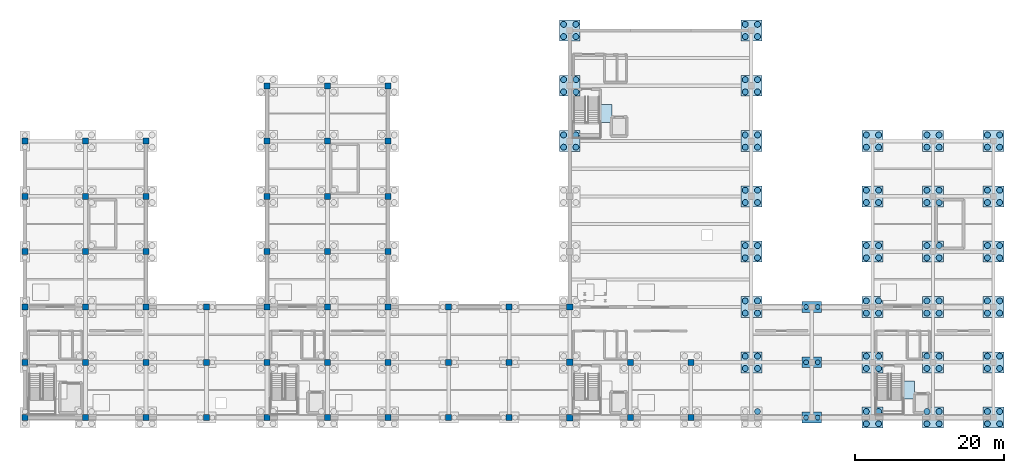
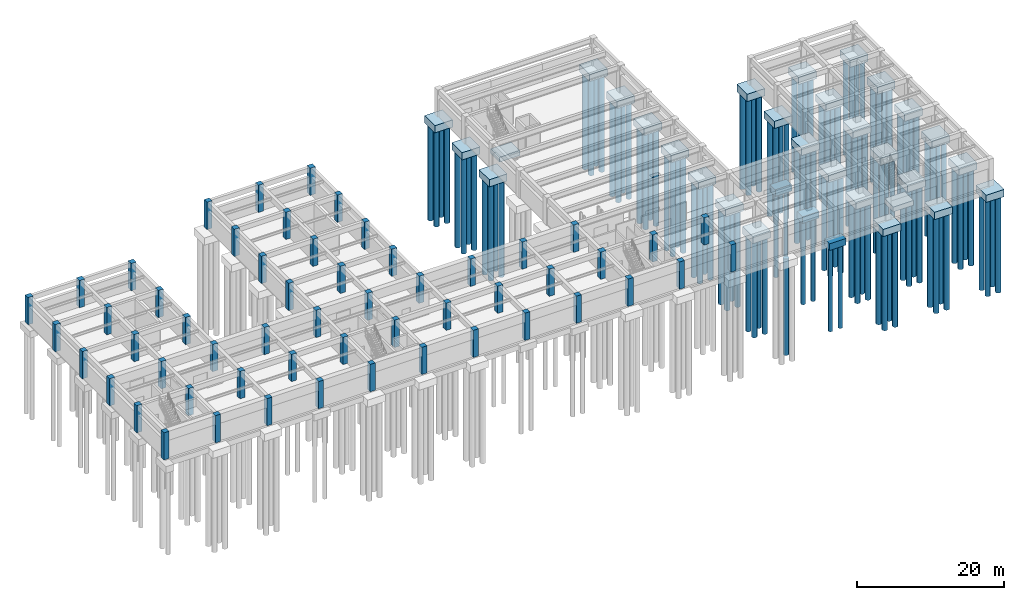
# One storey, part 2 of 14: 119 piles, 55 columns, 33 footings.
"""IFC4 building model written with IfcOpenShell, lengths in metres."""

from ifc_helpers import new_model, si_unit, direction, frame, origin, origin_2d, place, context, subcontext, project, spatial, rectangle, circle, extrude, material, material_profile, profile_set, type_object, element, save


model = new_model("IFC4")

# Units and contexts
model_context = context("Model", 3, precision=1e-05, world=origin(), true_north=direction((0.0, 1.0)))
body_context = subcontext(model_context, "Body", "Model", "MODEL_VIEW")
ifc_project = project(units=[si_unit("LENGTHUNIT", "METRE"), si_unit("AREAUNIT", "SQUARE_METRE"), si_unit("VOLUMEUNIT", "CUBIC_METRE"), si_unit("PLANEANGLEUNIT", "RADIAN"), si_unit("MASSUNIT", "GRAM", prefix="KILO")], contexts=[model_context])

# Site, building, storey
site_placement = place(None, origin())
site = spatial("IfcSite", under=ifc_project, at=site_placement, CompositionType="ELEMENT")
building_placement = place(site_placement, origin())
building = spatial("IfcBuilding", under=site, at=building_placement, Name="Cimatlan Art Gallery", CompositionType="ELEMENT")
storey_placement = place(building_placement, frame((0.0, 0.0, -4.800048828125)))
storey = spatial("IfcBuildingStorey", under=building, at=storey_placement, Name="B1", CompositionType="ELEMENT", Elevation=-4.800048828125)

# Footings
ifc_material_1 = material(Name="Concrete C40/50", Category="concrete")
footing_type_1 = type_object("IfcFootingType", Name="FTG-PAD-3200X2400", PredefinedType="PAD_FOOTING", material=ifc_material_1)
for number, where, z_axis, x_axis, name in (
    (1, (119.449951171875, 27.60009765625, -1.25), (0.0, 0.0, 1.0), (1.0, 0.0, 0.0), "FTG-CORE-C4"),
    (2, (78.949951171875, 64.60009765625, -1.25), (0.0, 0.0, 1.0), (1.0, 0.0, 0.0), "FTG-CORE-C6"),
):
    element("IfcFooting", number, at=place(storey_placement, frame(where, z_axis=z_axis, x_axis=x_axis)), inside=storey, type_object=footing_type_1, Name=name, PredefinedType="PAD_FOOTING", context=body_context, shape_type="SweptSolid", body=[
        extrude(rectangle(XDim=3.199951171875, YDim=2.39990234375, at=origin_2d()), origin(), (0.0, 0.0, 1.0), 0.800048828125),
    ])
footing_type_2 = type_object("IfcFootingType", Name="FTG-PC2-2600X1450", PredefinedType="PILE_CAP", material=ifc_material_1)
for number, where, z_axis, x_axis, name in (
    (3, (107.300048828125, 23.89990234375, -1.550048828125), (0.0, 0.0, 1.0), (1.0, 0.0, 0.0), "FTG-CAP-13-03"),
    (4, (107.300048828125, 31.300048828125, -1.550048828125), (0.0, 0.0, 1.0), (1.0, 0.0, 0.0), "FTG-CAP-13-04"),
    (5, (107.300048828125, 38.699951171875, -1.550048828125), (0.0, 0.0, 1.0), (1.0, 0.0, 0.0), "FTG-CAP-13-05"),
):
    element("IfcFooting", number, at=place(storey_placement, frame(where, z_axis=z_axis, x_axis=x_axis)), inside=storey, type_object=footing_type_2, Name=name, PredefinedType="PILE_CAP", context=body_context, shape_type="SweptSolid", body=[
        extrude(rectangle(XDim=2.60009765625, YDim=1.449951171875, at=origin_2d()), origin(), (0.0, 0.0, 1.0), 1.10009765625),
    ])
footing_type_3 = type_object("IfcFootingType", Name="FTG-PC4-2800", PredefinedType="PILE_CAP", material=ifc_material_1)
for number, where, z_axis, x_axis, name in (
    (6, (74.89990234375, 60.89990234375, -1.64990234375), (0.0, 0.0, 1.0), (1.0, 0.0, 0.0), "FTG-CAP-09-08"),
    (7, (74.89990234375, 68.300048828125, -1.64990234375), (0.0, 0.0, 1.0), (1.0, 0.0, 0.0), "FTG-CAP-09-09"),
    (8, (74.89990234375, 75.699951171875, -1.64990234375), (0.0, 0.0, 1.0), (1.0, 0.0, 0.0), "FTG-CAP-09-10"),
    (9, (99.199951171875, 31.300048828125, -1.64990234375), (0.0, 0.0, 1.0), (1.0, 0.0, 0.0), "FTG-CAP-12-04"),
    (10, (99.199951171875, 38.699951171875, -1.64990234375), (0.0, 0.0, 1.0), (1.0, 0.0, 0.0), "FTG-CAP-12-05"),
    (11, (99.199951171875, 46.10009765625, -1.64990234375), (0.0, 0.0, 1.0), (1.0, 0.0, 0.0), "FTG-CAP-12-06"),
    (12, (99.199951171875, 53.5, -1.64990234375), (0.0, 0.0, 1.0), (1.0, 0.0, 0.0), "FTG-CAP-12-07"),
    (13, (99.199951171875, 60.89990234375, -1.64990234375), (0.0, 0.0, 1.0), (1.0, 0.0, 0.0), "FTG-CAP-12-08"),
    (14, (99.199951171875, 68.300048828125, -1.64990234375), (0.0, 0.0, 1.0), (1.0, 0.0, 0.0), "FTG-CAP-12-09"),
    (15, (99.199951171875, 75.699951171875, -1.64990234375), (0.0, 0.0, 1.0), (1.0, 0.0, 0.0), "FTG-CAP-12-10"),
    (16, (115.39990234375, 23.89990234375, -1.64990234375), (0.0, 0.0, 1.0), (1.0, 0.0, 0.0), "FTG-CAP-14-03"),
    (17, (115.39990234375, 31.300048828125, -1.64990234375), (0.0, 0.0, 1.0), (1.0, 0.0, 0.0), "FTG-CAP-14-04"),
    (18, (115.39990234375, 38.699951171875, -1.64990234375), (0.0, 0.0, 1.0), (1.0, 0.0, 0.0), "FTG-CAP-14-05"),
    (19, (115.39990234375, 46.10009765625, -1.64990234375), (0.0, 0.0, 1.0), (1.0, 0.0, 0.0), "FTG-CAP-14-06"),
    (20, (115.39990234375, 53.5, -1.64990234375), (0.0, 0.0, 1.0), (1.0, 0.0, 0.0), "FTG-CAP-14-07"),
    (21, (115.39990234375, 60.89990234375, -1.64990234375), (0.0, 0.0, 1.0), (1.0, 0.0, 0.0), "FTG-CAP-14-08"),
    (22, (123.5, 23.89990234375, -1.64990234375), (0.0, 0.0, 1.0), (1.0, 0.0, 0.0), "FTG-CAP-15-03"),
    (23, (123.5, 31.300048828125, -1.64990234375), (0.0, 0.0, 1.0), (1.0, 0.0, 0.0), "FTG-CAP-15-04"),
    (24, (123.5, 38.699951171875, -1.64990234375), (0.0, 0.0, 1.0), (1.0, 0.0, 0.0), "FTG-CAP-15-05"),
    (25, (123.5, 46.10009765625, -1.64990234375), (0.0, 0.0, 1.0), (1.0, 0.0, 0.0), "FTG-CAP-15-06"),
    (26, (123.5, 53.5, -1.64990234375), (0.0, 0.0, 1.0), (1.0, 0.0, 0.0), "FTG-CAP-15-07"),
    (27, (123.5, 60.89990234375, -1.64990234375), (0.0, 0.0, 1.0), (1.0, 0.0, 0.0), "FTG-CAP-15-08"),
    (28, (131.60009765625, 23.89990234375, -1.64990234375), (0.0, 0.0, 1.0), (1.0, 0.0, 0.0), "FTG-CAP-16-03"),
    (29, (131.60009765625, 31.300048828125, -1.64990234375), (0.0, 0.0, 1.0), (1.0, 0.0, 0.0), "FTG-CAP-16-04"),
    (30, (131.60009765625, 38.699951171875, -1.64990234375), (0.0, 0.0, 1.0), (1.0, 0.0, 0.0), "FTG-CAP-16-05"),
    (31, (131.60009765625, 46.10009765625, -1.64990234375), (0.0, 0.0, 1.0), (1.0, 0.0, 0.0), "FTG-CAP-16-06"),
    (32, (131.60009765625, 53.5, -1.64990234375), (0.0, 0.0, 1.0), (1.0, 0.0, 0.0), "FTG-CAP-16-07"),
    (33, (131.60009765625, 60.89990234375, -1.64990234375), (0.0, 0.0, 1.0), (1.0, 0.0, 0.0), "FTG-CAP-16-08"),
):
    element("IfcFooting", number, at=place(storey_placement, frame(where, z_axis=z_axis, x_axis=x_axis)), inside=storey, type_object=footing_type_3, Name=name, PredefinedType="PILE_CAP", context=body_context, shape_type="SweptSolid", body=[
        extrude(rectangle(XDim=2.800048828125, YDim=2.800048828125, at=origin_2d()), origin(), (0.0, 0.0, 1.0), 1.199951171875),
    ])

# Piles
pile_type_1 = type_object("IfcPileType", Name="PIL-D650", PredefinedType="BORED", material=ifc_material_1)
for number, where, z_axis, x_axis, name in (
    (34, (106.52001953125, 23.89990234375, -1.449951171875), (0.0, 0.0, -1.0), (1.0, 0.0, 0.0), "PIL-13-03-1"),
    (35, (108.080078125, 23.89990234375, -1.449951171875), (0.0, 0.0, -1.0), (1.0, 0.0, 0.0), "PIL-13-03-2"),
    (36, (106.52001953125, 31.300048828125, -1.449951171875), (0.0, 0.0, -1.0), (1.0, 0.0, 0.0), "PIL-13-04-1"),
    (37, (108.080078125, 31.300048828125, -1.449951171875), (0.0, 0.0, -1.0), (1.0, 0.0, 0.0), "PIL-13-04-2"),
    (38, (106.52001953125, 38.699951171875, -1.449951171875), (0.0, 0.0, -1.0), (1.0, 0.0, 0.0), "PIL-13-05-1"),
    (39, (108.080078125, 38.699951171875, -1.449951171875), (0.0, 0.0, -1.0), (1.0, 0.0, 0.0), "PIL-13-05-2"),
):
    element("IfcPile", number, at=place(storey_placement, frame(where, z_axis=z_axis, x_axis=x_axis)), inside=storey, type_object=pile_type_1, Name=name, PredefinedType="BORED", context=body_context, shape_type="SweptSolid", body=[
        extrude(circle(Radius=0.324951171875, at=origin_2d()), origin(), (0.0, 0.0, 1.0), 14.0),
    ])
pile_type_2 = type_object("IfcPileType", Name="PIL-D800", PredefinedType="BORED", material=ifc_material_1)
for number, where, z_axis, x_axis, name in (
    (40, (74.080078125, 60.080078125, -1.550048828125), (0.0, 0.0, -1.0), (1.0, 0.0, 0.0), "PIL-09-08-1"),
    (41, (75.719970703125, 60.080078125, -1.550048828125), (0.0, 0.0, -1.0), (1.0, 0.0, 0.0), "PIL-09-08-2"),
    (42, (74.080078125, 61.719970703125, -1.550048828125), (0.0, 0.0, -1.0), (1.0, 0.0, 0.0), "PIL-09-08-3"),
    (43, (75.719970703125, 61.719970703125, -1.550048828125), (0.0, 0.0, -1.0), (1.0, 0.0, 0.0), "PIL-09-08-4"),
    (44, (74.080078125, 67.47998046875, -1.550048828125), (0.0, 0.0, -1.0), (1.0, 0.0, 0.0), "PIL-09-09-1"),
    (45, (75.719970703125, 67.47998046875, -1.550048828125), (0.0, 0.0, -1.0), (1.0, 0.0, 0.0), "PIL-09-09-2"),
    (46, (74.080078125, 69.1201171875, -1.550048828125), (0.0, 0.0, -1.0), (1.0, 0.0, 0.0), "PIL-09-09-3"),
    (47, (75.719970703125, 69.1201171875, -1.550048828125), (0.0, 0.0, -1.0), (1.0, 0.0, 0.0), "PIL-09-09-4"),
    (48, (74.080078125, 74.8798828125, -1.550048828125), (0.0, 0.0, -1.0), (1.0, 0.0, 0.0), "PIL-09-10-1"),
    (49, (75.719970703125, 74.8798828125, -1.550048828125), (0.0, 0.0, -1.0), (1.0, 0.0, 0.0), "PIL-09-10-2"),
    (50, (74.080078125, 76.52001953125, -1.550048828125), (0.0, 0.0, -1.0), (1.0, 0.0, 0.0), "PIL-09-10-3"),
    (51, (75.719970703125, 76.52001953125, -1.550048828125), (0.0, 0.0, -1.0), (1.0, 0.0, 0.0), "PIL-09-10-4"),
    (52, (100.02001953125, 24.719970703125, -1.550048828125), (0.0, 0.0, -1.0), (1.0, 0.0, 0.0), "PIL-12-03-4"),
    (53, (98.3798828125, 30.47998046875, -1.550048828125), (0.0, 0.0, -1.0), (1.0, 0.0, 0.0), "PIL-12-04-1"),
    (54, (100.02001953125, 30.47998046875, -1.550048828125), (0.0, 0.0, -1.0), (1.0, 0.0, 0.0), "PIL-12-04-2"),
    (55, (98.3798828125, 32.1201171875, -1.550048828125), (0.0, 0.0, -1.0), (1.0, 0.0, 0.0), "PIL-12-04-3"),
    (56, (100.02001953125, 32.1201171875, -1.550048828125), (0.0, 0.0, -1.0), (1.0, 0.0, 0.0), "PIL-12-04-4"),
    (57, (98.3798828125, 37.8798828125, -1.550048828125), (0.0, 0.0, -1.0), (1.0, 0.0, 0.0), "PIL-12-05-1"),
    (58, (100.02001953125, 37.8798828125, -1.550048828125), (0.0, 0.0, -1.0), (1.0, 0.0, 0.0), "PIL-12-05-2"),
    (59, (98.3798828125, 39.52001953125, -1.550048828125), (0.0, 0.0, -1.0), (1.0, 0.0, 0.0), "PIL-12-05-3"),
    (60, (100.02001953125, 39.52001953125, -1.550048828125), (0.0, 0.0, -1.0), (1.0, 0.0, 0.0), "PIL-12-05-4"),
    (61, (98.3798828125, 45.280029296875, -1.550048828125), (0.0, 0.0, -1.0), (1.0, 0.0, 0.0), "PIL-12-06-1"),
    (62, (100.02001953125, 45.280029296875, -1.550048828125), (0.0, 0.0, -1.0), (1.0, 0.0, 0.0), "PIL-12-06-2"),
    (63, (98.3798828125, 46.919921875, -1.550048828125), (0.0, 0.0, -1.0), (1.0, 0.0, 0.0), "PIL-12-06-3"),
    (64, (100.02001953125, 46.919921875, -1.550048828125), (0.0, 0.0, -1.0), (1.0, 0.0, 0.0), "PIL-12-06-4"),
    (65, (98.3798828125, 52.679931640625, -1.550048828125), (0.0, 0.0, -1.0), (1.0, 0.0, 0.0), "PIL-12-07-1"),
    (66, (100.02001953125, 52.679931640625, -1.550048828125), (0.0, 0.0, -1.0), (1.0, 0.0, 0.0), "PIL-12-07-2"),
    (67, (98.3798828125, 54.320068359375, -1.550048828125), (0.0, 0.0, -1.0), (1.0, 0.0, 0.0), "PIL-12-07-3"),
    (68, (100.02001953125, 54.320068359375, -1.550048828125), (0.0, 0.0, -1.0), (1.0, 0.0, 0.0), "PIL-12-07-4"),
    (69, (98.3798828125, 60.080078125, -1.550048828125), (0.0, 0.0, -1.0), (1.0, 0.0, 0.0), "PIL-12-08-1"),
    (70, (100.02001953125, 60.080078125, -1.550048828125), (0.0, 0.0, -1.0), (1.0, 0.0, 0.0), "PIL-12-08-2"),
    (71, (98.3798828125, 61.719970703125, -1.550048828125), (0.0, 0.0, -1.0), (1.0, 0.0, 0.0), "PIL-12-08-3"),
    (72, (100.02001953125, 61.719970703125, -1.550048828125), (0.0, 0.0, -1.0), (1.0, 0.0, 0.0), "PIL-12-08-4"),
    (73, (98.3798828125, 67.47998046875, -1.550048828125), (0.0, 0.0, -1.0), (1.0, 0.0, 0.0), "PIL-12-09-1"),
    (74, (100.02001953125, 67.47998046875, -1.550048828125), (0.0, 0.0, -1.0), (1.0, 0.0, 0.0), "PIL-12-09-2"),
    (75, (98.3798828125, 69.1201171875, -1.550048828125), (0.0, 0.0, -1.0), (1.0, 0.0, 0.0), "PIL-12-09-3"),
    (76, (100.02001953125, 69.1201171875, -1.550048828125), (0.0, 0.0, -1.0), (1.0, 0.0, 0.0), "PIL-12-09-4"),
    (77, (98.3798828125, 74.8798828125, -1.550048828125), (0.0, 0.0, -1.0), (1.0, 0.0, 0.0), "PIL-12-10-1"),
    (78, (100.02001953125, 74.8798828125, -1.550048828125), (0.0, 0.0, -1.0), (1.0, 0.0, 0.0), "PIL-12-10-2"),
    (79, (98.3798828125, 76.52001953125, -1.550048828125), (0.0, 0.0, -1.0), (1.0, 0.0, 0.0), "PIL-12-10-3"),
    (80, (100.02001953125, 76.52001953125, -1.550048828125), (0.0, 0.0, -1.0), (1.0, 0.0, 0.0), "PIL-12-10-4"),
    (81, (114.580078125, 23.080078125, -1.550048828125), (0.0, 0.0, -1.0), (1.0, 0.0, 0.0), "PIL-14-03-1"),
    (82, (116.219970703125, 23.080078125, -1.550048828125), (0.0, 0.0, -1.0), (1.0, 0.0, 0.0), "PIL-14-03-2"),
    (83, (114.580078125, 24.719970703125, -1.550048828125), (0.0, 0.0, -1.0), (1.0, 0.0, 0.0), "PIL-14-03-3"),
    (84, (116.219970703125, 24.719970703125, -1.550048828125), (0.0, 0.0, -1.0), (1.0, 0.0, 0.0), "PIL-14-03-4"),
    (85, (114.580078125, 30.47998046875, -1.550048828125), (0.0, 0.0, -1.0), (1.0, 0.0, 0.0), "PIL-14-04-1"),
    (86, (116.219970703125, 30.47998046875, -1.550048828125), (0.0, 0.0, -1.0), (1.0, 0.0, 0.0), "PIL-14-04-2"),
    (87, (114.580078125, 32.1201171875, -1.550048828125), (0.0, 0.0, -1.0), (1.0, 0.0, 0.0), "PIL-14-04-3"),
    (88, (116.219970703125, 32.1201171875, -1.550048828125), (0.0, 0.0, -1.0), (1.0, 0.0, 0.0), "PIL-14-04-4"),
    (89, (114.580078125, 37.8798828125, -1.550048828125), (0.0, 0.0, -1.0), (1.0, 0.0, 0.0), "PIL-14-05-1"),
    (90, (116.219970703125, 37.8798828125, -1.550048828125), (0.0, 0.0, -1.0), (1.0, 0.0, 0.0), "PIL-14-05-2"),
    (91, (114.580078125, 39.52001953125, -1.550048828125), (0.0, 0.0, -1.0), (1.0, 0.0, 0.0), "PIL-14-05-3"),
    (92, (116.219970703125, 39.52001953125, -1.550048828125), (0.0, 0.0, -1.0), (1.0, 0.0, 0.0), "PIL-14-05-4"),
    (93, (114.580078125, 45.280029296875, -1.550048828125), (0.0, 0.0, -1.0), (1.0, 0.0, 0.0), "PIL-14-06-1"),
    (94, (116.219970703125, 45.280029296875, -1.550048828125), (0.0, 0.0, -1.0), (1.0, 0.0, 0.0), "PIL-14-06-2"),
    (95, (114.580078125, 46.919921875, -1.550048828125), (0.0, 0.0, -1.0), (1.0, 0.0, 0.0), "PIL-14-06-3"),
    (96, (116.219970703125, 46.919921875, -1.550048828125), (0.0, 0.0, -1.0), (1.0, 0.0, 0.0), "PIL-14-06-4"),
    (97, (114.580078125, 52.679931640625, -1.550048828125), (0.0, 0.0, -1.0), (1.0, 0.0, 0.0), "PIL-14-07-1"),
    (98, (116.219970703125, 52.679931640625, -1.550048828125), (0.0, 0.0, -1.0), (1.0, 0.0, 0.0), "PIL-14-07-2"),
    (99, (114.580078125, 54.320068359375, -1.550048828125), (0.0, 0.0, -1.0), (1.0, 0.0, 0.0), "PIL-14-07-3"),
    (100, (116.219970703125, 54.320068359375, -1.550048828125), (0.0, 0.0, -1.0), (1.0, 0.0, 0.0), "PIL-14-07-4"),
    (101, (114.580078125, 60.080078125, -1.550048828125), (0.0, 0.0, -1.0), (1.0, 0.0, 0.0), "PIL-14-08-1"),
    (102, (116.219970703125, 60.080078125, -1.550048828125), (0.0, 0.0, -1.0), (1.0, 0.0, 0.0), "PIL-14-08-2"),
    (103, (114.580078125, 61.719970703125, -1.550048828125), (0.0, 0.0, -1.0), (1.0, 0.0, 0.0), "PIL-14-08-3"),
    (104, (116.219970703125, 61.719970703125, -1.550048828125), (0.0, 0.0, -1.0), (1.0, 0.0, 0.0), "PIL-14-08-4"),
    (105, (122.679931640625, 23.080078125, -1.550048828125), (0.0, 0.0, -1.0), (1.0, 0.0, 0.0), "PIL-15-03-1"),
    (106, (124.320068359375, 23.080078125, -1.550048828125), (0.0, 0.0, -1.0), (1.0, 0.0, 0.0), "PIL-15-03-2"),
    (107, (122.679931640625, 24.719970703125, -1.550048828125), (0.0, 0.0, -1.0), (1.0, 0.0, 0.0), "PIL-15-03-3"),
    (108, (124.320068359375, 24.719970703125, -1.550048828125), (0.0, 0.0, -1.0), (1.0, 0.0, 0.0), "PIL-15-03-4"),
    (109, (122.679931640625, 30.47998046875, -1.550048828125), (0.0, 0.0, -1.0), (1.0, 0.0, 0.0), "PIL-15-04-1"),
    (110, (124.320068359375, 30.47998046875, -1.550048828125), (0.0, 0.0, -1.0), (1.0, 0.0, 0.0), "PIL-15-04-2"),
    (111, (122.679931640625, 32.1201171875, -1.550048828125), (0.0, 0.0, -1.0), (1.0, 0.0, 0.0), "PIL-15-04-3"),
    (112, (124.320068359375, 32.1201171875, -1.550048828125), (0.0, 0.0, -1.0), (1.0, 0.0, 0.0), "PIL-15-04-4"),
    (113, (122.679931640625, 37.8798828125, -1.550048828125), (0.0, 0.0, -1.0), (1.0, 0.0, 0.0), "PIL-15-05-1"),
    (114, (124.320068359375, 37.8798828125, -1.550048828125), (0.0, 0.0, -1.0), (1.0, 0.0, 0.0), "PIL-15-05-2"),
    (115, (122.679931640625, 39.52001953125, -1.550048828125), (0.0, 0.0, -1.0), (1.0, 0.0, 0.0), "PIL-15-05-3"),
    (116, (124.320068359375, 39.52001953125, -1.550048828125), (0.0, 0.0, -1.0), (1.0, 0.0, 0.0), "PIL-15-05-4"),
    (117, (122.679931640625, 45.280029296875, -1.550048828125), (0.0, 0.0, -1.0), (1.0, 0.0, 0.0), "PIL-15-06-1"),
    (118, (124.320068359375, 45.280029296875, -1.550048828125), (0.0, 0.0, -1.0), (1.0, 0.0, 0.0), "PIL-15-06-2"),
    (119, (122.679931640625, 46.919921875, -1.550048828125), (0.0, 0.0, -1.0), (1.0, 0.0, 0.0), "PIL-15-06-3"),
    (120, (124.320068359375, 46.919921875, -1.550048828125), (0.0, 0.0, -1.0), (1.0, 0.0, 0.0), "PIL-15-06-4"),
    (121, (122.679931640625, 52.679931640625, -1.550048828125), (0.0, 0.0, -1.0), (1.0, 0.0, 0.0), "PIL-15-07-1"),
    (122, (124.320068359375, 52.679931640625, -1.550048828125), (0.0, 0.0, -1.0), (1.0, 0.0, 0.0), "PIL-15-07-2"),
    (123, (122.679931640625, 54.320068359375, -1.550048828125), (0.0, 0.0, -1.0), (1.0, 0.0, 0.0), "PIL-15-07-3"),
    (124, (124.320068359375, 54.320068359375, -1.550048828125), (0.0, 0.0, -1.0), (1.0, 0.0, 0.0), "PIL-15-07-4"),
    (125, (122.679931640625, 60.080078125, -1.550048828125), (0.0, 0.0, -1.0), (1.0, 0.0, 0.0), "PIL-15-08-1"),
    (126, (124.320068359375, 60.080078125, -1.550048828125), (0.0, 0.0, -1.0), (1.0, 0.0, 0.0), "PIL-15-08-2"),
    (127, (122.679931640625, 61.719970703125, -1.550048828125), (0.0, 0.0, -1.0), (1.0, 0.0, 0.0), "PIL-15-08-3"),
    (128, (124.320068359375, 61.719970703125, -1.550048828125), (0.0, 0.0, -1.0), (1.0, 0.0, 0.0), "PIL-15-08-4"),
    (129, (130.780029296875, 23.080078125, -1.550048828125), (0.0, 0.0, -1.0), (1.0, 0.0, 0.0), "PIL-16-03-1"),
    (130, (132.419921875, 23.080078125, -1.550048828125), (0.0, 0.0, -1.0), (1.0, 0.0, 0.0), "PIL-16-03-2"),
    (131, (130.780029296875, 24.719970703125, -1.550048828125), (0.0, 0.0, -1.0), (1.0, 0.0, 0.0), "PIL-16-03-3"),
    (132, (132.419921875, 24.719970703125, -1.550048828125), (0.0, 0.0, -1.0), (1.0, 0.0, 0.0), "PIL-16-03-4"),
    (133, (130.780029296875, 30.47998046875, -1.550048828125), (0.0, 0.0, -1.0), (1.0, 0.0, 0.0), "PIL-16-04-1"),
    (134, (132.419921875, 30.47998046875, -1.550048828125), (0.0, 0.0, -1.0), (1.0, 0.0, 0.0), "PIL-16-04-2"),
    (135, (130.780029296875, 32.1201171875, -1.550048828125), (0.0, 0.0, -1.0), (1.0, 0.0, 0.0), "PIL-16-04-3"),
    (136, (132.419921875, 32.1201171875, -1.550048828125), (0.0, 0.0, -1.0), (1.0, 0.0, 0.0), "PIL-16-04-4"),
    (137, (130.780029296875, 37.8798828125, -1.550048828125), (0.0, 0.0, -1.0), (1.0, 0.0, 0.0), "PIL-16-05-1"),
    (138, (132.419921875, 37.8798828125, -1.550048828125), (0.0, 0.0, -1.0), (1.0, 0.0, 0.0), "PIL-16-05-2"),
    (139, (130.780029296875, 39.52001953125, -1.550048828125), (0.0, 0.0, -1.0), (1.0, 0.0, 0.0), "PIL-16-05-3"),
    (140, (132.419921875, 39.52001953125, -1.550048828125), (0.0, 0.0, -1.0), (1.0, 0.0, 0.0), "PIL-16-05-4"),
    (141, (130.780029296875, 45.280029296875, -1.550048828125), (0.0, 0.0, -1.0), (1.0, 0.0, 0.0), "PIL-16-06-1"),
    (142, (132.419921875, 45.280029296875, -1.550048828125), (0.0, 0.0, -1.0), (1.0, 0.0, 0.0), "PIL-16-06-2"),
    (143, (130.780029296875, 46.919921875, -1.550048828125), (0.0, 0.0, -1.0), (1.0, 0.0, 0.0), "PIL-16-06-3"),
    (144, (132.419921875, 46.919921875, -1.550048828125), (0.0, 0.0, -1.0), (1.0, 0.0, 0.0), "PIL-16-06-4"),
    (145, (130.780029296875, 52.679931640625, -1.550048828125), (0.0, 0.0, -1.0), (1.0, 0.0, 0.0), "PIL-16-07-1"),
    (146, (132.419921875, 52.679931640625, -1.550048828125), (0.0, 0.0, -1.0), (1.0, 0.0, 0.0), "PIL-16-07-2"),
    (147, (130.780029296875, 54.320068359375, -1.550048828125), (0.0, 0.0, -1.0), (1.0, 0.0, 0.0), "PIL-16-07-3"),
    (148, (132.419921875, 54.320068359375, -1.550048828125), (0.0, 0.0, -1.0), (1.0, 0.0, 0.0), "PIL-16-07-4"),
    (149, (130.780029296875, 60.080078125, -1.550048828125), (0.0, 0.0, -1.0), (1.0, 0.0, 0.0), "PIL-16-08-1"),
    (150, (132.419921875, 60.080078125, -1.550048828125), (0.0, 0.0, -1.0), (1.0, 0.0, 0.0), "PIL-16-08-2"),
    (151, (130.780029296875, 61.719970703125, -1.550048828125), (0.0, 0.0, -1.0), (1.0, 0.0, 0.0), "PIL-16-08-3"),
    (152, (132.419921875, 61.719970703125, -1.550048828125), (0.0, 0.0, -1.0), (1.0, 0.0, 0.0), "PIL-16-08-4"),
):
    element("IfcPile", number, at=place(storey_placement, frame(where, z_axis=z_axis, x_axis=x_axis)), inside=storey, type_object=pile_type_2, Name=name, PredefinedType="BORED", context=body_context, shape_type="SweptSolid", body=[
        extrude(circle(Radius=0.39990234375, at=origin_2d()), origin(), (0.0, 0.0, 1.0), 16.0),
    ])

# Columns
ifc_material_2 = material(Name="Concrete C45/55", Category="concrete")
ifc_material_profile_1 = material_profile(ifc_material_2, rectangle(XDim=0.800048828125, YDim=0.800048828125, at=origin_2d()), Name="RC800X800")
ifc_profile_set_1 = profile_set([ifc_material_profile_1], Name="Concrete C45/55")
column_type_1 = type_object("IfcColumnType", Name="COL-RC-800", PredefinedType="COLUMN", material=ifc_profile_set_1)
for number, where, z_axis, x_axis, name in (
    (153, (2.0, 23.89990234375, 0.0), (0.0, 0.0, 1.0), (1.0, 0.0, 0.0), "COL-B1-00-03"),
    (154, (2.0, 31.300048828125, 0.0), (0.0, 0.0, 1.0), (1.0, 0.0, 0.0), "COL-B1-00-04"),
    (155, (2.0, 38.699951171875, 0.0), (0.0, 0.0, 1.0), (1.0, 0.0, 0.0), "COL-B1-00-05"),
    (156, (2.0, 46.10009765625, 0.0), (0.0, 0.0, 1.0), (1.0, 0.0, 0.0), "COL-B1-00-06"),
    (157, (2.0, 53.5, 0.0), (0.0, 0.0, 1.0), (1.0, 0.0, 0.0), "COL-B1-00-07"),
    (158, (2.0, 60.89990234375, 0.0), (0.0, 0.0, 1.0), (1.0, 0.0, 0.0), "COL-B1-00-08"),
    (159, (10.10009765625, 23.89990234375, 0.0), (0.0, 0.0, 1.0), (1.0, 0.0, 0.0), "COL-B1-01-03"),
    (160, (10.10009765625, 31.300048828125, 0.0), (0.0, 0.0, 1.0), (1.0, 0.0, 0.0), "COL-B1-01-04"),
    (161, (10.10009765625, 38.699951171875, 0.0), (0.0, 0.0, 1.0), (1.0, 0.0, 0.0), "COL-B1-01-05"),
    (162, (10.10009765625, 46.10009765625, 0.0), (0.0, 0.0, 1.0), (1.0, 0.0, 0.0), "COL-B1-01-06"),
    (163, (10.10009765625, 53.5, 0.0), (0.0, 0.0, 1.0), (1.0, 0.0, 0.0), "COL-B1-01-07"),
    (164, (10.10009765625, 60.89990234375, 0.0), (0.0, 0.0, 1.0), (1.0, 0.0, 0.0), "COL-B1-01-08"),
    (165, (18.199951171875, 23.89990234375, 0.0), (0.0, 0.0, 1.0), (1.0, 0.0, 0.0), "COL-B1-02-03"),
    (166, (18.199951171875, 31.300048828125, 0.0), (0.0, 0.0, 1.0), (1.0, 0.0, 0.0), "COL-B1-02-04"),
    (167, (18.199951171875, 38.699951171875, 0.0), (0.0, 0.0, 1.0), (1.0, 0.0, 0.0), "COL-B1-02-05"),
    (168, (18.199951171875, 46.10009765625, 0.0), (0.0, 0.0, 1.0), (1.0, 0.0, 0.0), "COL-B1-02-06"),
    (169, (18.199951171875, 53.5, 0.0), (0.0, 0.0, 1.0), (1.0, 0.0, 0.0), "COL-B1-02-07"),
    (170, (18.199951171875, 60.89990234375, 0.0), (0.0, 0.0, 1.0), (1.0, 0.0, 0.0), "COL-B1-02-08"),
    (171, (26.300048828125, 23.89990234375, 0.0), (0.0, 0.0, 1.0), (1.0, 0.0, 0.0), "COL-B1-03-03"),
    (172, (26.300048828125, 31.300048828125, 0.0), (0.0, 0.0, 1.0), (1.0, 0.0, 0.0), "COL-B1-03-04"),
    (173, (26.300048828125, 38.699951171875, 0.0), (0.0, 0.0, 1.0), (1.0, 0.0, 0.0), "COL-B1-03-05"),
    (174, (34.39990234375, 23.89990234375, 0.0), (0.0, 0.0, 1.0), (1.0, 0.0, 0.0), "COL-B1-04-03"),
    (175, (34.39990234375, 31.300048828125, 0.0), (0.0, 0.0, 1.0), (1.0, 0.0, 0.0), "COL-B1-04-04"),
    (176, (34.39990234375, 38.699951171875, 0.0), (0.0, 0.0, 1.0), (1.0, 0.0, 0.0), "COL-B1-04-05"),
    (177, (34.39990234375, 46.10009765625, 0.0), (0.0, 0.0, 1.0), (1.0, 0.0, 0.0), "COL-B1-04-06"),
    (178, (34.39990234375, 53.5, 0.0), (0.0, 0.0, 1.0), (1.0, 0.0, 0.0), "COL-B1-04-07"),
    (179, (34.39990234375, 60.89990234375, 0.0), (0.0, 0.0, 1.0), (1.0, 0.0, 0.0), "COL-B1-04-08"),
    (180, (34.39990234375, 68.300048828125, 0.0), (0.0, 0.0, 1.0), (1.0, 0.0, 0.0), "COL-B1-04-09"),
    (181, (42.5, 23.89990234375, 0.0), (0.0, 0.0, 1.0), (1.0, 0.0, 0.0), "COL-B1-05-03"),
    (182, (42.5, 31.300048828125, 0.0), (0.0, 0.0, 1.0), (1.0, 0.0, 0.0), "COL-B1-05-04"),
    (183, (42.5, 38.699951171875, 0.0), (0.0, 0.0, 1.0), (1.0, 0.0, 0.0), "COL-B1-05-05"),
    (184, (42.5, 46.10009765625, 0.0), (0.0, 0.0, 1.0), (1.0, 0.0, 0.0), "COL-B1-05-06"),
    (185, (42.5, 53.5, 0.0), (0.0, 0.0, 1.0), (1.0, 0.0, 0.0), "COL-B1-05-07"),
    (186, (42.5, 60.89990234375, 0.0), (0.0, 0.0, 1.0), (1.0, 0.0, 0.0), "COL-B1-05-08"),
    (187, (42.5, 68.300048828125, 0.0), (0.0, 0.0, 1.0), (1.0, 0.0, 0.0), "COL-B1-05-09"),
    (188, (50.60009765625, 23.89990234375, 0.0), (0.0, 0.0, 1.0), (1.0, 0.0, 0.0), "COL-B1-06-03"),
    (189, (50.60009765625, 31.300048828125, 0.0), (0.0, 0.0, 1.0), (1.0, 0.0, 0.0), "COL-B1-06-04"),
    (190, (50.60009765625, 38.699951171875, 0.0), (0.0, 0.0, 1.0), (1.0, 0.0, 0.0), "COL-B1-06-05"),
    (191, (50.60009765625, 46.10009765625, 0.0), (0.0, 0.0, 1.0), (1.0, 0.0, 0.0), "COL-B1-06-06"),
    (192, (50.60009765625, 53.5, 0.0), (0.0, 0.0, 1.0), (1.0, 0.0, 0.0), "COL-B1-06-07"),
    (193, (50.60009765625, 60.89990234375, 0.0), (0.0, 0.0, 1.0), (1.0, 0.0, 0.0), "COL-B1-06-08"),
    (194, (50.60009765625, 68.300048828125, 0.0), (0.0, 0.0, 1.0), (1.0, 0.0, 0.0), "COL-B1-06-09"),
    (195, (58.699951171875, 23.89990234375, 0.0), (0.0, 0.0, 1.0), (1.0, 0.0, 0.0), "COL-B1-07-03"),
    (196, (58.699951171875, 31.300048828125, 0.0), (0.0, 0.0, 1.0), (1.0, 0.0, 0.0), "COL-B1-07-04"),
    (197, (58.699951171875, 38.699951171875, 0.0), (0.0, 0.0, 1.0), (1.0, 0.0, 0.0), "COL-B1-07-05"),
    (198, (66.800048828125, 23.89990234375, 0.0), (0.0, 0.0, 1.0), (1.0, 0.0, 0.0), "COL-B1-08-03"),
    (199, (66.800048828125, 31.300048828125, 0.0), (0.0, 0.0, 1.0), (1.0, 0.0, 0.0), "COL-B1-08-04"),
    (200, (66.800048828125, 38.699951171875, 0.0), (0.0, 0.0, 1.0), (1.0, 0.0, 0.0), "COL-B1-08-05"),
    (201, (83.0, 23.89990234375, 0.0), (0.0, 0.0, 1.0), (1.0, 0.0, 0.0), "COL-B1-10-03"),
    (202, (83.0, 31.300048828125, 0.0), (0.0, 0.0, 1.0), (1.0, 0.0, 0.0), "COL-B1-10-04"),
    (203, (91.10009765625, 23.89990234375, 0.0), (0.0, 0.0, 1.0), (1.0, 0.0, 0.0), "COL-B1-11-03"),
    (204, (91.10009765625, 31.300048828125, 0.0), (0.0, 0.0, 1.0), (1.0, 0.0, 0.0), "COL-B1-11-04"),
):
    element("IfcColumn", number, at=place(storey_placement, frame(where, z_axis=z_axis, x_axis=x_axis)), inside=storey, type_object=column_type_1, Name=name, PredefinedType="COLUMN", context=body_context, shape_type="SweptSolid", body=[
        extrude(rectangle(XDim=0.800048828125, YDim=0.800048828125, at=origin_2d()), origin(), (0.0, 0.0, 1.0), 4.52001953125),
    ])
ifc_material_profile_2 = material_profile(ifc_material_2, rectangle(XDim=0.85009765625, YDim=0.85009765625, at=origin_2d()), Name="RC850X850")
ifc_profile_set_2 = profile_set([ifc_material_profile_2], Name="Concrete C45/55")
column_type_2 = type_object("IfcColumnType", Name="COL-RC-850", PredefinedType="COLUMN", material=ifc_profile_set_2)
for number, where, z_axis, x_axis, name in (
    (205, (74.89990234375, 23.89990234375, 0.0), (0.0, 0.0, 1.0), (1.0, 0.0, 0.0), "COL-B1-09-03"),
    (206, (74.89990234375, 31.300048828125, 0.0), (0.0, 0.0, 1.0), (1.0, 0.0, 0.0), "COL-B1-09-04"),
    (207, (74.89990234375, 38.699951171875, 0.0), (0.0, 0.0, 1.0), (1.0, 0.0, 0.0), "COL-B1-09-05"),
):
    element("IfcColumn", number, at=place(storey_placement, frame(where, z_axis=z_axis, x_axis=x_axis)), inside=storey, type_object=column_type_2, Name=name, PredefinedType="COLUMN", context=body_context, shape_type="SweptSolid", body=[
        extrude(rectangle(XDim=0.85009765625, YDim=0.85009765625, at=origin_2d()), origin(), (0.0, 0.0, 1.0), 4.52001953125),
    ])

save(model, "model.ifc")
